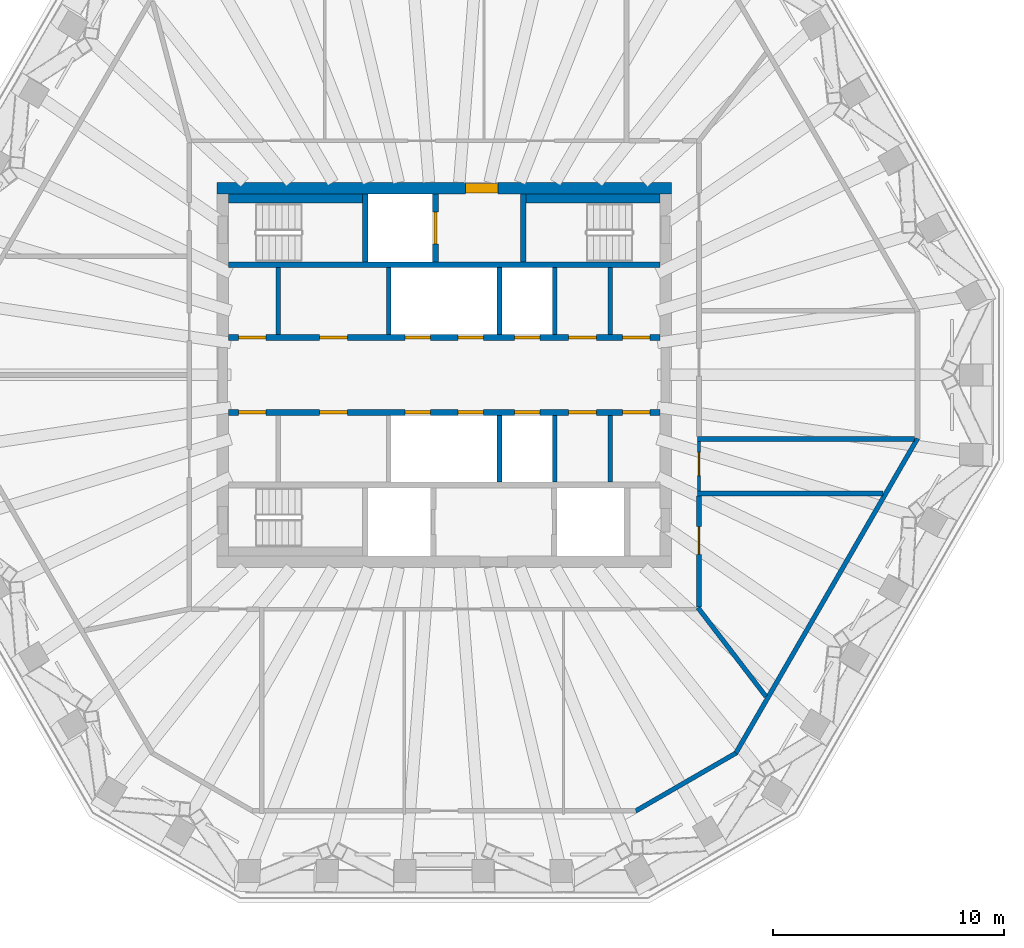
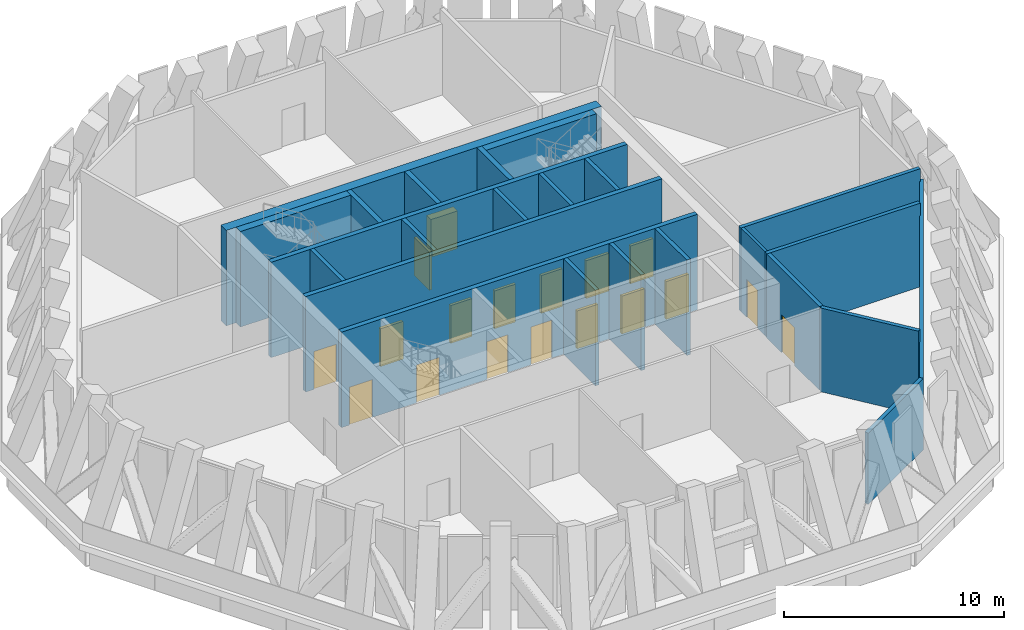
# One storey, part 5 of 9: 24 walls, 18 doors, 18 openings.
"""IFC4 building model written with IfcOpenShell, lengths in metres."""

from ifc_helpers import new_model, si_unit, direction, frame, frame_2d, origin, place, context, subcontext, project, spatial, polyline, rectangle, outline, extrude, material, layer, layer_set, type_object, element, fill, save


model = new_model("IFC4")

# Units and contexts
model_context = context("Model", 3, precision=1e-05, world=origin(), true_north=direction((0.0, 1.0)))
body_context = subcontext(model_context, "Body", "Model", "MODEL_VIEW")
ifc_project = project(units=[si_unit("LENGTHUNIT", "METRE"), si_unit("AREAUNIT", "SQUARE_METRE"), si_unit("VOLUMEUNIT", "CUBIC_METRE"), si_unit("PLANEANGLEUNIT", "RADIAN"), si_unit("MASSUNIT", "GRAM", prefix="KILO")], contexts=[model_context])

# Site, building, storey
site_placement = place(None, origin())
site = spatial("IfcSite", under=ifc_project, at=site_placement, CompositionType="ELEMENT")
building_placement = place(site_placement, origin())
building = spatial("IfcBuilding", under=site, at=building_placement, Name="Frailejon Research Tower", CompositionType="ELEMENT")
storey_placement = place(building_placement, frame((0.0, 0.0, 303.0)))
storey = spatial("IfcBuildingStorey", under=building, at=storey_placement, Name="L67", CompositionType="ELEMENT", Elevation=303.0)

# Wall, opening, door
ifc_material_1 = material(Name="Concrete C50/60", Category="concrete")
ifc_layer_1 = layer(ifc_material_1, 0.5)
ifc_layer_set_1 = layer_set([ifc_layer_1], Name="Core shear wall 500 C50/60")
wall_type_1 = type_object("IfcWallType", Name="Core shear wall 500 C50/60", PredefinedType="SHEAR", material=ifc_layer_set_1)
wall_1_placement = place(storey_placement, frame((-9.85009765625, 8.10009765625, 0.0), z_axis=(0.0, 0.0, 1.0), x_axis=(1.0, 0.0, 0.0)))
wall_1 = element("IfcWall", 1, at=wall_1_placement, inside=storey, type_object=wall_type_1, Name="Core shear wall", PredefinedType="SHEAR", context=body_context, shape_type="SweptSolid", body=[
    extrude(rectangle(XDim=19.7001953125, YDim=0.5, at=frame_2d((9.85009765625, 0.0))), origin(), (0.0, 0.0, 1.0), 5.300048828125),
])
opening_1_placement = place(wall_1_placement, frame((10.77490234375, 0.0, 0.0)))
opening_1 = element("IfcOpeningElement", 2, at=opening_1_placement, cuts=wall_1, Name="Opening D9", PredefinedType="OPENING", context=body_context, shape_type="SweptSolid", body=[
    extrude(rectangle(XDim=1.39990234375, YDim=2.10009765625, at=frame_2d((0.699951171875, 1.050048828125))), frame((0.0, 0.260009765625, 0.0), z_axis=(0.0, -1.0, 0.0), x_axis=(1.0, 0.0, 0.0)), (0.0, 0.0, 1.0), 0.52001953125),
])
ifc_material_2 = material(Name="Steel", Category="steel")
door_type_1 = type_object("IfcDoorType", Name="Goods lobby door", OperationType="DOUBLE_DOOR_SINGLE_SWING", PredefinedType="DOOR", material=ifc_material_2)
door_1_placement = place(opening_1_placement, origin())
door_1 = element("IfcDoor", 3, at=door_1_placement, inside=storey, type_object=door_type_1, Name="Goods lobby door", OperationType="DOUBLE_DOOR_SINGLE_SWING", OverallHeight=2.10009765625, OverallWidth=1.39990234375, PredefinedType="DOOR", context=body_context, shape_type="SweptSolid", body=[
    extrude(rectangle(XDim=1.39990234375, YDim=2.10009765625, at=frame_2d((0.699951171875, 1.050048828125))), frame((0.0, 0.199951171875, 0.0), z_axis=(0.0, -1.0, 0.0), x_axis=(1.0, 0.0, 0.0)), (0.0, 0.0, 1.0), 0.39990234375),
])
fill(opening_1, door_1)

ifc_material_3 = material(Name="Gypsum board and masonry partition", Category="masonry")
ifc_layer_2 = layer(ifc_material_3, 0.14990234375)
ifc_layer_set_2 = layer_set([ifc_layer_2], Name="Corridor wall EI 60, gypsum on steel studs 150")
wall_type_2 = type_object("IfcWallType", Name="Corridor wall EI 60, gypsum on steel studs 150", PredefinedType="PARTITIONING", material=ifc_layer_set_2)
wall_2_placement = place(storey_placement, frame((11.050048828125, -5.041259765625, 0.0), z_axis=(0.0, 0.0, 1.0), x_axis=(0.0, 1.0, 0.0)))
wall_2 = element("IfcWall", 4, at=wall_2_placement, inside=storey, type_object=wall_type_2, Name="T:IW:L67:003", PredefinedType="PARTITIONING", context=body_context, shape_type="SweptSolid", body=[
    extrude(rectangle(XDim=2.162841796875, YDim=0.14990234375, at=frame_2d((1.08154296875, 0.0))), origin(), (0.0, 0.0, 1.0), 4.64990234375),
])
opening_2_placement = place(wall_2_placement, frame((0.680908203125, 0.0, 0.0)))
opening_2 = element("IfcOpeningElement", 5, at=opening_2_placement, cuts=wall_2, Name="Opening D1160", PredefinedType="OPENING", context=body_context, shape_type="SweptSolid", body=[
    extrude(rectangle(XDim=1.0, YDim=2.10009765625, at=frame_2d((0.5, 1.050048828125))), frame((0.0, 0.0849609375, 0.0), z_axis=(0.0, -1.0, 0.0), x_axis=(1.0, 0.0, 0.0)), (0.0, 0.0, 1.0), 0.169921875),
])
ifc_material_4 = material(Name="Steel door leaf", Category="steel")
door_type_2 = type_object("IfcDoorType", Name="Door plant room, steel 1000", OperationType="NOTDEFINED", PredefinedType="DOOR", material=ifc_material_4)
door_2_placement = place(opening_2_placement, origin())
door_2 = element("IfcDoor", 6, at=door_2_placement, inside=storey, type_object=door_type_2, Name="D1160", OperationType="SINGLE_SWING_RIGHT", OverallHeight=2.10009765625, OverallWidth=1.0, PredefinedType="DOOR", context=body_context, shape_type="SweptSolid", body=[
    extrude(rectangle(XDim=1.0, YDim=2.10009765625, at=frame_2d((0.5, 1.050048828125))), frame((0.0, 0.02490234375, 0.0), z_axis=(0.0, -1.0, 0.0), x_axis=(1.0, 0.0, 0.0)), (0.0, 0.0, 1.0), 0.050048828125),
])
fill(opening_2, door_2)

# Walls
ifc_material_5 = material(Name="Aluminium louvre panel wall", Category="aluminium")
ifc_layer_3 = layer(ifc_material_5, 0.199951171875)
ifc_layer_set_3 = layer_set([ifc_layer_3], Name="Louvred plant wall 200")
wall_type_3 = type_object("IfcWallType", Name="Louvred plant wall 200", PredefinedType="SOLIDWALL", material=ifc_layer_set_3)
wall_3_placement = place(storey_placement, frame((8.31201171875, -18.89990234375, 0.0), z_axis=(0.0, 0.0, 1.0), x_axis=(0.866021443701, 0.500006859004, 0.0)))
element("IfcWall", 7, at=wall_3_placement, inside=storey, type_object=wall_type_3, Name="Plant louvre wall L67", PredefinedType="SOLIDWALL", context=body_context, shape_type="SweptSolid", body=[
    extrude(outline(polyline([(-0.02685546875, -0.10009765625), (5.0302734375, -0.10009765625), (4.9765625, 0.10009765625), (0.02685546875, 0.10009765625), (-0.02685546875, -0.10009765625)])), origin(), (0.0, 0.0, 1.0), 3.949951171875),
])
wall_4_placement = place(storey_placement, frame((12.64501953125, -16.398193359375, 0.0), z_axis=(0.0, 0.0, 1.0), x_axis=(0.499993368965, 0.86602923218, 0.0)))
element("IfcWall", 8, at=wall_4_placement, inside=storey, type_object=wall_type_3, Name="Plant louvre wall L67", PredefinedType="SOLIDWALL", context=body_context, shape_type="SweptSolid", body=[
    extrude(outline(polyline([(-0.02685546875, -0.10009765625), (15.784423828125, -0.10009765625), (15.730712890625, 0.10009765625), (0.02685546875, 0.10009765625), (-0.02685546875, -0.10009765625)])), origin(), (0.0, 0.0, 1.0), 3.949951171875),
])

# Wall, opening, door
ifc_material_6 = material(Name="Gypsum board and masonry partition", Category="masonry")
ifc_layer_4 = layer(ifc_material_6, 0.199951171875)
ifc_layer_set_4 = layer_set([ifc_layer_4], Name="Plant enclosure wall, blockwork 200")
wall_type_4 = type_object("IfcWallType", Name="Plant enclosure wall, blockwork 200", PredefinedType="PARTITIONING", material=ifc_layer_set_4)
wall_5_placement = place(storey_placement, frame((11.050048828125, -10.050048828125, 0.0), z_axis=(0.0, 0.0, 1.0), x_axis=(0.0, 1.0, 0.0)))
wall_5 = element("IfcWall", 9, at=wall_5_placement, inside=storey, type_object=wall_type_4, Name="T:IW:L67:008", PredefinedType="PARTITIONING", context=body_context, shape_type="SweptSolid", body=[
    extrude(rectangle(XDim=4.808837890625, YDim=0.199951171875, at=frame_2d((2.404296875, 0.0))), origin(), (0.0, 0.0, 1.0), 4.64990234375),
])
opening_3_placement = place(wall_5_placement, frame((2.270751953125, 0.0, 0.0)))
opening_3 = element("IfcOpeningElement", 10, at=opening_3_placement, cuts=wall_5, Name="Opening D1159", PredefinedType="OPENING", context=body_context, shape_type="SweptSolid", body=[
    extrude(rectangle(XDim=1.199951171875, YDim=2.10009765625, at=frame_2d((0.60009765625, 1.050048828125))), frame((0.0, 0.10986328125, 0.0), z_axis=(0.0, -1.0, 0.0), x_axis=(1.0, 0.0, 0.0)), (0.0, 0.0, 1.0), 0.219970703125),
])
ifc_material_7 = material(Name="Steel door leaf", Category="steel")
door_type_3 = type_object("IfcDoorType", Name="Door plant room, steel 1200", OperationType="NOTDEFINED", PredefinedType="DOOR", material=ifc_material_7)
door_3_placement = place(opening_3_placement, origin())
door_3 = element("IfcDoor", 11, at=door_3_placement, inside=storey, type_object=door_type_3, Name="D1159", OperationType="DOUBLE_DOOR_SINGLE_SWING", OverallHeight=2.10009765625, OverallWidth=1.199951171875, PredefinedType="DOOR", context=body_context, shape_type="SweptSolid", body=[
    extrude(rectangle(XDim=1.199951171875, YDim=2.10009765625, at=frame_2d((0.60009765625, 1.050048828125))), frame((0.0, 0.02490234375, 0.0), z_axis=(0.0, -1.0, 0.0), x_axis=(1.0, 0.0, 0.0)), (0.0, 0.0, 1.0), 0.050048828125),
])
fill(opening_3, door_3)

# Walls
wall_6_placement = place(storey_placement, frame((11.00439453125, -10.090576171875, 0.0), z_axis=(0.0, 0.0, 1.0), x_axis=(0.608087688604, -0.79386986526, 0.0)))
element("IfcWall", 12, at=wall_6_placement, inside=storey, type_object=wall_type_4, Name="T:IW:L67:021", PredefinedType="PARTITIONING", context=body_context, shape_type="SweptSolid", body=[
    extrude(rectangle(XDim=4.84521484375, YDim=0.199951171875, at=frame_2d((2.422607421875, 0.0))), origin(), (0.0, 0.0, 1.0), 4.64990234375),
])
wall_7_placement = place(storey_placement, frame((10.97509765625, -5.14111328125, 0.0), z_axis=(0.0, 0.0, 1.0), x_axis=(1.0, 0.0, 0.0)))
element("IfcWall", 13, at=wall_7_placement, inside=storey, type_object=wall_type_4, Name="T:IW:L67:022", PredefinedType="PARTITIONING", context=body_context, shape_type="SweptSolid", body=[
    extrude(rectangle(XDim=8.0537109375, YDim=0.199951171875, at=frame_2d((4.02685546875, 0.0))), origin(), (0.0, 0.0, 1.0), 4.64990234375),
])
wall_8_placement = place(storey_placement, frame((10.97509765625, -2.778564453125, 0.0), z_axis=(0.0, 0.0, 1.0), x_axis=(1.0, 0.0, 0.0)))
element("IfcWall", 14, at=wall_8_placement, inside=storey, type_object=wall_type_4, Name="T:IW:L67:023", PredefinedType="PARTITIONING", context=body_context, shape_type="SweptSolid", body=[
    extrude(rectangle(XDim=9.417724609375, YDim=0.199951171875, at=frame_2d((4.708984375, 0.0))), origin(), (0.0, 0.0, 1.0), 4.64990234375),
])
ifc_material_8 = material(Name="Concrete C50/60", Category="concrete")
ifc_layer_5 = layer(ifc_material_8, 0.199951171875)
ifc_layer_set_5 = layer_set([ifc_layer_5], Name="Shaft wall 200 C50/60")
wall_type_5 = type_object("IfcWallType", Name="Shaft wall 200 C50/60", PredefinedType="SOLIDWALL", material=ifc_layer_set_5)
for number, where, z_axis, x_axis, name in (
    (15, (-7.199951171875, 1.75, 0.0), (0.0, 0.0, 1.0), (0.0, 1.0, 0.0), "Shaft wall"),
    (16, (-2.39990234375, 1.75, 0.0), (0.0, 0.0, 1.0), (0.0, 1.0, 0.0), "Shaft wall"),
    (17, (2.39990234375, 1.75, 0.0), (0.0, 0.0, 1.0), (0.0, 1.0, 0.0), "Shaft wall"),
    (18, (4.800048828125, 1.75, 0.0), (0.0, 0.0, 1.0), (0.0, 1.0, 0.0), "Shaft wall"),
    (19, (7.199951171875, 1.75, 0.0), (0.0, 0.0, 1.0), (0.0, 1.0, 0.0), "Shaft wall"),
    (20, (2.39990234375, -4.64990234375, 0.0), (0.0, 0.0, 1.0), (0.0, 1.0, 0.0), "Shaft wall"),
    (21, (4.800048828125, -4.64990234375, 0.0), (0.0, 0.0, 1.0), (0.0, 1.0, 0.0), "Shaft wall"),
    (22, (7.199951171875, -4.64990234375, 0.0), (0.0, 0.0, 1.0), (0.0, 1.0, 0.0), "Shaft wall"),
):
    element("IfcWall", number, at=place(storey_placement, frame(where, z_axis=z_axis, x_axis=x_axis)), inside=storey, type_object=wall_type_5, Name=name, PredefinedType="SOLIDWALL", context=body_context, shape_type="SweptSolid", body=[
        extrude(rectangle(XDim=2.89990234375, YDim=0.199951171875, at=frame_2d((1.449951171875, 0.0))), origin(), (0.0, 0.0, 1.0), 5.300048828125),
    ])

# Wall, openings, doors
ifc_material_9 = material(Name="Concrete C50/60", Category="concrete")
ifc_layer_6 = layer(ifc_material_9, 0.25)
ifc_layer_set_6 = layer_set([ifc_layer_6], Name="Shaft wall 250 C50/60")
wall_type_6 = type_object("IfcWallType", Name="Shaft wall 250 C50/60", PredefinedType="SOLIDWALL", material=ifc_layer_set_6)
wall_9_placement = place(storey_placement, frame((-9.35009765625, 1.625, 0.0), z_axis=(0.0, 0.0, 1.0), x_axis=(1.0, 0.0, 0.0)))
wall_9 = element("IfcWall", 23, at=wall_9_placement, inside=storey, type_object=wall_type_6, Name="Shaft wall", PredefinedType="SOLIDWALL", context=body_context, shape_type="SweptSolid", body=[
    extrude(rectangle(XDim=18.7001953125, YDim=0.25, at=frame_2d((9.35009765625, 0.0))), origin(), (0.0, 0.0, 1.0), 5.300048828125),
])
opening_4_placement = place(wall_9_placement, frame((7.64990234375, 0.0, 0.0)))
opening_4 = element("IfcOpeningElement", 24, at=opening_4_placement, cuts=wall_9, Name="Opening LD", PredefinedType="OPENING", context=body_context, shape_type="SweptSolid", body=[
    extrude(rectangle(XDim=1.10009765625, YDim=2.10009765625, at=frame_2d((0.550048828125, 1.050048828125))), frame((0.0, 0.135009765625, 0.0), z_axis=(0.0, -1.0, 0.0), x_axis=(1.0, 0.0, 0.0)), (0.0, 0.0, 1.0), 0.27001953125),
])
opening_5_placement = place(wall_9_placement, frame((9.949951171875, 0.0, 0.0)))
opening_5 = element("IfcOpeningElement", 25, at=opening_5_placement, cuts=wall_9, Name="Opening LD", PredefinedType="OPENING", context=body_context, shape_type="SweptSolid", body=[
    extrude(rectangle(XDim=1.10009765625, YDim=2.10009765625, at=frame_2d((0.550048828125, 1.050048828125))), frame((0.0, 0.135009765625, 0.0), z_axis=(0.0, -1.0, 0.0), x_axis=(1.0, 0.0, 0.0)), (0.0, 0.0, 1.0), 0.27001953125),
])
opening_6_placement = place(wall_9_placement, frame((12.39990234375, 0.0, 0.0)))
opening_6 = element("IfcOpeningElement", 26, at=opening_6_placement, cuts=wall_9, Name="Opening LD", PredefinedType="OPENING", context=body_context, shape_type="SweptSolid", body=[
    extrude(rectangle(XDim=1.10009765625, YDim=2.10009765625, at=frame_2d((0.550048828125, 1.050048828125))), frame((0.0, 0.135009765625, 0.0), z_axis=(0.0, -1.0, 0.0), x_axis=(1.0, 0.0, 0.0)), (0.0, 0.0, 1.0), 0.27001953125),
])
opening_7_placement = place(wall_9_placement, frame((0.425048828125, 0.0, 0.0)))
opening_7 = element("IfcOpeningElement", 27, at=opening_7_placement, cuts=wall_9, Name="Opening D6", PredefinedType="OPENING", context=body_context, shape_type="SweptSolid", body=[
    extrude(rectangle(XDim=1.199951171875, YDim=2.10009765625, at=frame_2d((0.60009765625, 1.050048828125))), frame((0.0, 0.135009765625, 0.0), z_axis=(0.0, -1.0, 0.0), x_axis=(1.0, 0.0, 0.0)), (0.0, 0.0, 1.0), 0.27001953125),
])
opening_8_placement = place(wall_9_placement, frame((3.949951171875, 0.0, 0.0)))
opening_8 = element("IfcOpeningElement", 28, at=opening_8_placement, cuts=wall_9, Name="Opening D6", PredefinedType="OPENING", context=body_context, shape_type="SweptSolid", body=[
    extrude(rectangle(XDim=1.199951171875, YDim=2.10009765625, at=frame_2d((0.60009765625, 1.050048828125))), frame((0.0, 0.135009765625, 0.0), z_axis=(0.0, -1.0, 0.0), x_axis=(1.0, 0.0, 0.0)), (0.0, 0.0, 1.0), 0.27001953125),
])
opening_9_placement = place(wall_9_placement, frame((14.75, 0.0, 0.0)))
opening_9 = element("IfcOpeningElement", 29, at=opening_9_placement, cuts=wall_9, Name="Opening D6", PredefinedType="OPENING", context=body_context, shape_type="SweptSolid", body=[
    extrude(rectangle(XDim=1.199951171875, YDim=2.10009765625, at=frame_2d((0.60009765625, 1.050048828125))), frame((0.0, 0.135009765625, 0.0), z_axis=(0.0, -1.0, 0.0), x_axis=(1.0, 0.0, 0.0)), (0.0, 0.0, 1.0), 0.27001953125),
])
opening_10_placement = place(wall_9_placement, frame((17.074951171875, 0.0, 0.0)))
opening_10 = element("IfcOpeningElement", 30, at=opening_10_placement, cuts=wall_9, Name="Opening D5", PredefinedType="OPENING", context=body_context, shape_type="SweptSolid", body=[
    extrude(rectangle(XDim=1.199951171875, YDim=2.10009765625, at=frame_2d((0.60009765625, 1.050048828125))), frame((0.0, 0.135009765625, 0.0), z_axis=(0.0, -1.0, 0.0), x_axis=(1.0, 0.0, 0.0)), (0.0, 0.0, 1.0), 0.27001953125),
])
ifc_material_10 = material(Name="Steel", Category="steel")
door_type_4 = type_object("IfcDoorType", Name="Lift landing door", OperationType="DOUBLE_DOOR_SLIDING", PredefinedType="DOOR", material=ifc_material_10)
door_4_placement = place(opening_4_placement, origin())
door_4 = element("IfcDoor", 31, at=door_4_placement, inside=storey, type_object=door_type_4, Name="Lift landing door", OperationType="DOUBLE_DOOR_SLIDING", OverallHeight=2.10009765625, OverallWidth=1.10009765625, PredefinedType="DOOR", context=body_context, shape_type="SweptSolid", body=[
    extrude(rectangle(XDim=1.10009765625, YDim=2.10009765625, at=frame_2d((0.550048828125, 1.050048828125))), frame((0.0, 0.074951171875, 0.0), z_axis=(0.0, -1.0, 0.0), x_axis=(1.0, 0.0, 0.0)), (0.0, 0.0, 1.0), 0.14990234375),
])
fill(opening_4, door_4)
door_5_placement = place(opening_5_placement, origin())
door_5 = element("IfcDoor", 32, at=door_5_placement, inside=storey, type_object=door_type_4, Name="Lift landing door", OperationType="DOUBLE_DOOR_SLIDING", OverallHeight=2.10009765625, OverallWidth=1.10009765625, PredefinedType="DOOR", context=body_context, shape_type="SweptSolid", body=[
    extrude(rectangle(XDim=1.10009765625, YDim=2.10009765625, at=frame_2d((0.550048828125, 1.050048828125))), frame((0.0, 0.074951171875, 0.0), z_axis=(0.0, -1.0, 0.0), x_axis=(1.0, 0.0, 0.0)), (0.0, 0.0, 1.0), 0.14990234375),
])
fill(opening_5, door_5)
door_6_placement = place(opening_6_placement, origin())
door_6 = element("IfcDoor", 33, at=door_6_placement, inside=storey, type_object=door_type_4, Name="Lift landing door", OperationType="DOUBLE_DOOR_SLIDING", OverallHeight=2.10009765625, OverallWidth=1.10009765625, PredefinedType="DOOR", context=body_context, shape_type="SweptSolid", body=[
    extrude(rectangle(XDim=1.10009765625, YDim=2.10009765625, at=frame_2d((0.550048828125, 1.050048828125))), frame((0.0, 0.074951171875, 0.0), z_axis=(0.0, -1.0, 0.0), x_axis=(1.0, 0.0, 0.0)), (0.0, 0.0, 1.0), 0.14990234375),
])
fill(opening_6, door_6)
ifc_material_11 = material(Name="Steel", Category="steel")
door_type_5 = type_object("IfcDoorType", Name="Plant door", OperationType="SINGLE_SWING_LEFT", PredefinedType="DOOR", material=ifc_material_11)
door_7_placement = place(opening_7_placement, origin())
door_7 = element("IfcDoor", 34, at=door_7_placement, inside=storey, type_object=door_type_5, Name="Room door", OperationType="SINGLE_SWING_LEFT", OverallHeight=2.10009765625, OverallWidth=1.199951171875, PredefinedType="DOOR", context=body_context, shape_type="SweptSolid", body=[
    extrude(rectangle(XDim=1.199951171875, YDim=2.10009765625, at=frame_2d((0.60009765625, 1.050048828125))), frame((0.0, 0.074951171875, 0.0), z_axis=(0.0, -1.0, 0.0), x_axis=(1.0, 0.0, 0.0)), (0.0, 0.0, 1.0), 0.14990234375),
])
fill(opening_7, door_7)
door_8_placement = place(opening_8_placement, origin())
door_8 = element("IfcDoor", 35, at=door_8_placement, inside=storey, type_object=door_type_5, Name="Room door", OperationType="SINGLE_SWING_RIGHT", OverallHeight=2.10009765625, OverallWidth=1.199951171875, PredefinedType="DOOR", context=body_context, shape_type="SweptSolid", body=[
    extrude(rectangle(XDim=1.199951171875, YDim=2.10009765625, at=frame_2d((0.60009765625, 1.050048828125))), frame((0.0, 0.074951171875, 0.0), z_axis=(0.0, -1.0, 0.0), x_axis=(1.0, 0.0, 0.0)), (0.0, 0.0, 1.0), 0.14990234375),
])
fill(opening_8, door_8)
door_9_placement = place(opening_9_placement, origin())
door_9 = element("IfcDoor", 36, at=door_9_placement, inside=storey, type_object=door_type_5, Name="Room door", OperationType="SINGLE_SWING_LEFT", OverallHeight=2.10009765625, OverallWidth=1.199951171875, PredefinedType="DOOR", context=body_context, shape_type="SweptSolid", body=[
    extrude(rectangle(XDim=1.199951171875, YDim=2.10009765625, at=frame_2d((0.60009765625, 1.050048828125))), frame((0.0, 0.074951171875, 0.0), z_axis=(0.0, -1.0, 0.0), x_axis=(1.0, 0.0, 0.0)), (0.0, 0.0, 1.0), 0.14990234375),
])
fill(opening_9, door_9)
ifc_material_12 = material(Name="Steel", Category="steel")
door_type_6 = type_object("IfcDoorType", Name="Refuge door", OperationType="SINGLE_SWING_LEFT", PredefinedType="DOOR", material=ifc_material_12)
door_10_placement = place(opening_10_placement, origin())
door_10 = element("IfcDoor", 37, at=door_10_placement, inside=storey, type_object=door_type_6, Name="Room door", OperationType="SINGLE_SWING_RIGHT", OverallHeight=2.10009765625, OverallWidth=1.199951171875, PredefinedType="DOOR", context=body_context, shape_type="SweptSolid", body=[
    extrude(rectangle(XDim=1.199951171875, YDim=2.10009765625, at=frame_2d((0.60009765625, 1.050048828125))), frame((0.0, 0.074951171875, 0.0), z_axis=(0.0, -1.0, 0.0), x_axis=(1.0, 0.0, 0.0)), (0.0, 0.0, 1.0), 0.14990234375),
])
fill(opening_10, door_10)

# Wall
wall_10_placement = place(storey_placement, frame((-9.35009765625, 4.77490234375, 0.0), z_axis=(0.0, 0.0, 1.0), x_axis=(1.0, 0.0, 0.0)))
element("IfcWall", 38, at=wall_10_placement, inside=storey, type_object=wall_type_6, Name="Shaft wall", PredefinedType="SOLIDWALL", context=body_context, shape_type="SweptSolid", body=[
    extrude(rectangle(XDim=18.7001953125, YDim=0.25, at=frame_2d((9.35009765625, 0.0))), origin(), (0.0, 0.0, 1.0), 5.300048828125),
])

# Wall, openings, doors
wall_11_placement = place(storey_placement, frame((-9.35009765625, -1.625, 0.0), z_axis=(0.0, 0.0, 1.0), x_axis=(1.0, 0.0, 0.0)))
wall_11 = element("IfcWall", 39, at=wall_11_placement, inside=storey, type_object=wall_type_6, Name="Shaft wall", PredefinedType="SOLIDWALL", context=body_context, shape_type="SweptSolid", body=[
    extrude(rectangle(XDim=18.7001953125, YDim=0.25, at=frame_2d((9.35009765625, 0.0))), origin(), (0.0, 0.0, 1.0), 5.300048828125),
])
opening_11_placement = place(wall_11_placement, frame((7.64990234375, 0.0, 0.0)))
opening_11 = element("IfcOpeningElement", 40, at=opening_11_placement, cuts=wall_11, Name="Opening LD", PredefinedType="OPENING", context=body_context, shape_type="SweptSolid", body=[
    extrude(rectangle(XDim=1.10009765625, YDim=2.10009765625, at=frame_2d((0.550048828125, 1.050048828125))), frame((0.0, 0.135009765625, 0.0), z_axis=(0.0, -1.0, 0.0), x_axis=(1.0, 0.0, 0.0)), (0.0, 0.0, 1.0), 0.27001953125),
])
opening_12_placement = place(wall_11_placement, frame((9.949951171875, 0.0, 0.0)))
opening_12 = element("IfcOpeningElement", 41, at=opening_12_placement, cuts=wall_11, Name="Opening LD", PredefinedType="OPENING", context=body_context, shape_type="SweptSolid", body=[
    extrude(rectangle(XDim=1.10009765625, YDim=2.10009765625, at=frame_2d((0.550048828125, 1.050048828125))), frame((0.0, 0.135009765625, 0.0), z_axis=(0.0, -1.0, 0.0), x_axis=(1.0, 0.0, 0.0)), (0.0, 0.0, 1.0), 0.27001953125),
])
opening_13_placement = place(wall_11_placement, frame((12.39990234375, 0.0, 0.0)))
opening_13 = element("IfcOpeningElement", 42, at=opening_13_placement, cuts=wall_11, Name="Opening LD", PredefinedType="OPENING", context=body_context, shape_type="SweptSolid", body=[
    extrude(rectangle(XDim=1.10009765625, YDim=2.10009765625, at=frame_2d((0.550048828125, 1.050048828125))), frame((0.0, 0.135009765625, 0.0), z_axis=(0.0, -1.0, 0.0), x_axis=(1.0, 0.0, 0.0)), (0.0, 0.0, 1.0), 0.27001953125),
])
opening_14_placement = place(wall_11_placement, frame((0.425048828125, 0.0, 0.0)))
opening_14 = element("IfcOpeningElement", 43, at=opening_14_placement, cuts=wall_11, Name="Opening D6", PredefinedType="OPENING", context=body_context, shape_type="SweptSolid", body=[
    extrude(rectangle(XDim=1.199951171875, YDim=2.10009765625, at=frame_2d((0.60009765625, 1.050048828125))), frame((0.0, 0.135009765625, 0.0), z_axis=(0.0, -1.0, 0.0), x_axis=(1.0, 0.0, 0.0)), (0.0, 0.0, 1.0), 0.27001953125),
])
opening_15_placement = place(wall_11_placement, frame((3.949951171875, 0.0, 0.0)))
opening_15 = element("IfcOpeningElement", 44, at=opening_15_placement, cuts=wall_11, Name="Opening D6", PredefinedType="OPENING", context=body_context, shape_type="SweptSolid", body=[
    extrude(rectangle(XDim=1.199951171875, YDim=2.10009765625, at=frame_2d((0.60009765625, 1.050048828125))), frame((0.0, 0.135009765625, 0.0), z_axis=(0.0, -1.0, 0.0), x_axis=(1.0, 0.0, 0.0)), (0.0, 0.0, 1.0), 0.27001953125),
])
opening_16_placement = place(wall_11_placement, frame((14.75, 0.0, 0.0)))
opening_16 = element("IfcOpeningElement", 45, at=opening_16_placement, cuts=wall_11, Name="Opening D6", PredefinedType="OPENING", context=body_context, shape_type="SweptSolid", body=[
    extrude(rectangle(XDim=1.199951171875, YDim=2.10009765625, at=frame_2d((0.60009765625, 1.050048828125))), frame((0.0, 0.135009765625, 0.0), z_axis=(0.0, -1.0, 0.0), x_axis=(1.0, 0.0, 0.0)), (0.0, 0.0, 1.0), 0.27001953125),
])
opening_17_placement = place(wall_11_placement, frame((17.074951171875, 0.0, 0.0)))
opening_17 = element("IfcOpeningElement", 46, at=opening_17_placement, cuts=wall_11, Name="Opening D6", PredefinedType="OPENING", context=body_context, shape_type="SweptSolid", body=[
    extrude(rectangle(XDim=1.199951171875, YDim=2.10009765625, at=frame_2d((0.60009765625, 1.050048828125))), frame((0.0, 0.135009765625, 0.0), z_axis=(0.0, -1.0, 0.0), x_axis=(1.0, 0.0, 0.0)), (0.0, 0.0, 1.0), 0.27001953125),
])
door_11_placement = place(opening_11_placement, origin())
door_11 = element("IfcDoor", 47, at=door_11_placement, inside=storey, type_object=door_type_4, Name="Lift landing door", OperationType="DOUBLE_DOOR_SLIDING", OverallHeight=2.10009765625, OverallWidth=1.10009765625, PredefinedType="DOOR", context=body_context, shape_type="SweptSolid", body=[
    extrude(rectangle(XDim=1.10009765625, YDim=2.10009765625, at=frame_2d((0.550048828125, 1.050048828125))), frame((0.0, 0.074951171875, 0.0), z_axis=(0.0, -1.0, 0.0), x_axis=(1.0, 0.0, 0.0)), (0.0, 0.0, 1.0), 0.14990234375),
])
fill(opening_11, door_11)
door_12_placement = place(opening_12_placement, origin())
door_12 = element("IfcDoor", 48, at=door_12_placement, inside=storey, type_object=door_type_4, Name="Lift landing door", OperationType="DOUBLE_DOOR_SLIDING", OverallHeight=2.10009765625, OverallWidth=1.10009765625, PredefinedType="DOOR", context=body_context, shape_type="SweptSolid", body=[
    extrude(rectangle(XDim=1.10009765625, YDim=2.10009765625, at=frame_2d((0.550048828125, 1.050048828125))), frame((0.0, 0.074951171875, 0.0), z_axis=(0.0, -1.0, 0.0), x_axis=(1.0, 0.0, 0.0)), (0.0, 0.0, 1.0), 0.14990234375),
])
fill(opening_12, door_12)
door_13_placement = place(opening_13_placement, origin())
door_13 = element("IfcDoor", 49, at=door_13_placement, inside=storey, type_object=door_type_4, Name="Lift landing door", OperationType="DOUBLE_DOOR_SLIDING", OverallHeight=2.10009765625, OverallWidth=1.10009765625, PredefinedType="DOOR", context=body_context, shape_type="SweptSolid", body=[
    extrude(rectangle(XDim=1.10009765625, YDim=2.10009765625, at=frame_2d((0.550048828125, 1.050048828125))), frame((0.0, 0.074951171875, 0.0), z_axis=(0.0, -1.0, 0.0), x_axis=(1.0, 0.0, 0.0)), (0.0, 0.0, 1.0), 0.14990234375),
])
fill(opening_13, door_13)
door_14_placement = place(opening_14_placement, origin())
door_14 = element("IfcDoor", 50, at=door_14_placement, inside=storey, type_object=door_type_5, Name="Room door", OperationType="SINGLE_SWING_LEFT", OverallHeight=2.10009765625, OverallWidth=1.199951171875, PredefinedType="DOOR", context=body_context, shape_type="SweptSolid", body=[
    extrude(rectangle(XDim=1.199951171875, YDim=2.10009765625, at=frame_2d((0.60009765625, 1.050048828125))), frame((0.0, 0.074951171875, 0.0), z_axis=(0.0, -1.0, 0.0), x_axis=(1.0, 0.0, 0.0)), (0.0, 0.0, 1.0), 0.14990234375),
])
fill(opening_14, door_14)
door_15_placement = place(opening_15_placement, origin())
door_15 = element("IfcDoor", 51, at=door_15_placement, inside=storey, type_object=door_type_5, Name="Room door", OperationType="SINGLE_SWING_RIGHT", OverallHeight=2.10009765625, OverallWidth=1.199951171875, PredefinedType="DOOR", context=body_context, shape_type="SweptSolid", body=[
    extrude(rectangle(XDim=1.199951171875, YDim=2.10009765625, at=frame_2d((0.60009765625, 1.050048828125))), frame((0.0, 0.074951171875, 0.0), z_axis=(0.0, -1.0, 0.0), x_axis=(1.0, 0.0, 0.0)), (0.0, 0.0, 1.0), 0.14990234375),
])
fill(opening_15, door_15)
door_16_placement = place(opening_16_placement, origin())
door_16 = element("IfcDoor", 52, at=door_16_placement, inside=storey, type_object=door_type_5, Name="Room door", OperationType="SINGLE_SWING_LEFT", OverallHeight=2.10009765625, OverallWidth=1.199951171875, PredefinedType="DOOR", context=body_context, shape_type="SweptSolid", body=[
    extrude(rectangle(XDim=1.199951171875, YDim=2.10009765625, at=frame_2d((0.60009765625, 1.050048828125))), frame((0.0, 0.074951171875, 0.0), z_axis=(0.0, -1.0, 0.0), x_axis=(1.0, 0.0, 0.0)), (0.0, 0.0, 1.0), 0.14990234375),
])
fill(opening_16, door_16)
door_17_placement = place(opening_17_placement, origin())
door_17 = element("IfcDoor", 53, at=door_17_placement, inside=storey, type_object=door_type_5, Name="Room door", OperationType="SINGLE_SWING_RIGHT", OverallHeight=2.10009765625, OverallWidth=1.199951171875, PredefinedType="DOOR", context=body_context, shape_type="SweptSolid", body=[
    extrude(rectangle(XDim=1.199951171875, YDim=2.10009765625, at=frame_2d((0.60009765625, 1.050048828125))), frame((0.0, 0.074951171875, 0.0), z_axis=(0.0, -1.0, 0.0), x_axis=(1.0, 0.0, 0.0)), (0.0, 0.0, 1.0), 0.14990234375),
])
fill(opening_17, door_17)

# Wall
wall_12_placement = place(storey_placement, frame((-3.425048828125, 4.89990234375, 0.0), z_axis=(0.0, 0.0, 1.0), x_axis=(0.0, 1.0, 0.0)))
element("IfcWall", 54, at=wall_12_placement, inside=storey, type_object=wall_type_6, Name="Shaft wall", PredefinedType="SOLIDWALL", context=body_context, shape_type="SweptSolid", body=[
    extrude(rectangle(XDim=2.9501953125, YDim=0.25, at=frame_2d((1.47509765625, 0.0))), origin(), (0.0, 0.0, 1.0), 5.300048828125),
])

# Wall, opening, door
wall_13_placement = place(storey_placement, frame((-0.375, 4.89990234375, 0.0), z_axis=(0.0, 0.0, 1.0), x_axis=(0.0, 1.0, 0.0)))
wall_13 = element("IfcWall", 55, at=wall_13_placement, inside=storey, type_object=wall_type_6, Name="Shaft wall", PredefinedType="SOLIDWALL", context=body_context, shape_type="SweptSolid", body=[
    extrude(rectangle(XDim=2.9501953125, YDim=0.25, at=frame_2d((1.47509765625, 0.0))), origin(), (0.0, 0.0, 1.0), 5.300048828125),
])
opening_18_placement = place(wall_13_placement, frame((0.77490234375, 0.0, 0.0)))
opening_18 = element("IfcOpeningElement", 56, at=opening_18_placement, cuts=wall_13, Name="Opening LD2", PredefinedType="OPENING", context=body_context, shape_type="SweptSolid", body=[
    extrude(rectangle(XDim=1.39990234375, YDim=2.10009765625, at=frame_2d((0.699951171875, 1.050048828125))), frame((0.0, 0.135009765625, 0.0), z_axis=(0.0, -1.0, 0.0), x_axis=(1.0, 0.0, 0.0)), (0.0, 0.0, 1.0), 0.27001953125),
])
ifc_material_13 = material(Name="Stainless steel", Category="steel")
door_type_7 = type_object("IfcDoorType", Name="Goods landing door", OperationType="DOUBLE_DOOR_SLIDING", PredefinedType="DOOR", material=ifc_material_13)
door_18_placement = place(opening_18_placement, origin())
door_18 = element("IfcDoor", 57, at=door_18_placement, inside=storey, type_object=door_type_7, Name="Lift landing door", OperationType="DOUBLE_DOOR_SLIDING", OverallHeight=2.10009765625, OverallWidth=1.39990234375, PredefinedType="DOOR", context=body_context, shape_type="SweptSolid", body=[
    extrude(rectangle(XDim=1.39990234375, YDim=2.10009765625, at=frame_2d((0.699951171875, 1.050048828125))), frame((0.0, 0.074951171875, 0.0), z_axis=(0.0, -1.0, 0.0), x_axis=(1.0, 0.0, 0.0)), (0.0, 0.0, 1.0), 0.14990234375),
])
fill(opening_18, door_18)

# Walls
wall_14_placement = place(storey_placement, frame((3.425048828125, 4.89990234375, 0.0), z_axis=(0.0, 0.0, 1.0), x_axis=(0.0, 1.0, 0.0)))
element("IfcWall", 58, at=wall_14_placement, inside=storey, type_object=wall_type_6, Name="Shaft wall", PredefinedType="SOLIDWALL", context=body_context, shape_type="SweptSolid", body=[
    extrude(rectangle(XDim=2.9501953125, YDim=0.25, at=frame_2d((1.47509765625, 0.0))), origin(), (0.0, 0.0, 1.0), 5.300048828125),
])
ifc_material_14 = material(Name="Concrete C50/60", Category="concrete")
ifc_layer_7 = layer(ifc_material_14, 0.39990234375)
ifc_layer_set_7 = layer_set([ifc_layer_7], Name="Shaft wall 400 C50/60")
wall_type_7 = type_object("IfcWallType", Name="Shaft wall 400 C50/60", PredefinedType="SOLIDWALL", material=ifc_layer_set_7)
for number, where, z_axis, x_axis, name in (
    (59, (-9.35009765625, 7.64990234375, 0.0), (0.0, 0.0, 1.0), (1.0, 0.0, 0.0), "Shaft wall"),
    (60, (3.550048828125, 7.64990234375, 0.0), (0.0, 0.0, 1.0), (1.0, 0.0, 0.0), "Shaft wall"),
):
    element("IfcWall", number, at=place(storey_placement, frame(where, z_axis=z_axis, x_axis=x_axis)), inside=storey, type_object=wall_type_7, Name=name, PredefinedType="SOLIDWALL", context=body_context, shape_type="SweptSolid", body=[
        extrude(rectangle(XDim=5.800048828125, YDim=0.39990234375, at=frame_2d((2.89990234375, 0.0))), origin(), (0.0, 0.0, 1.0), 5.300048828125),
    ])

save(model, "model.ifc")
